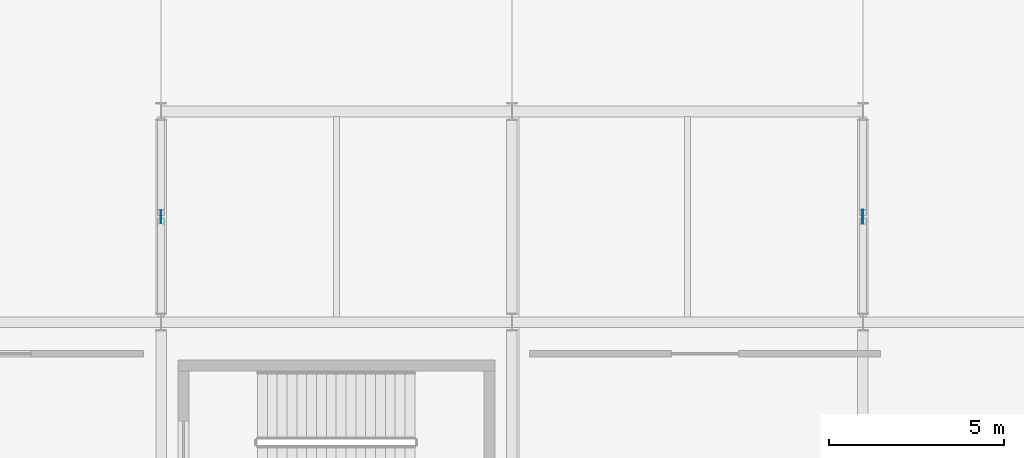
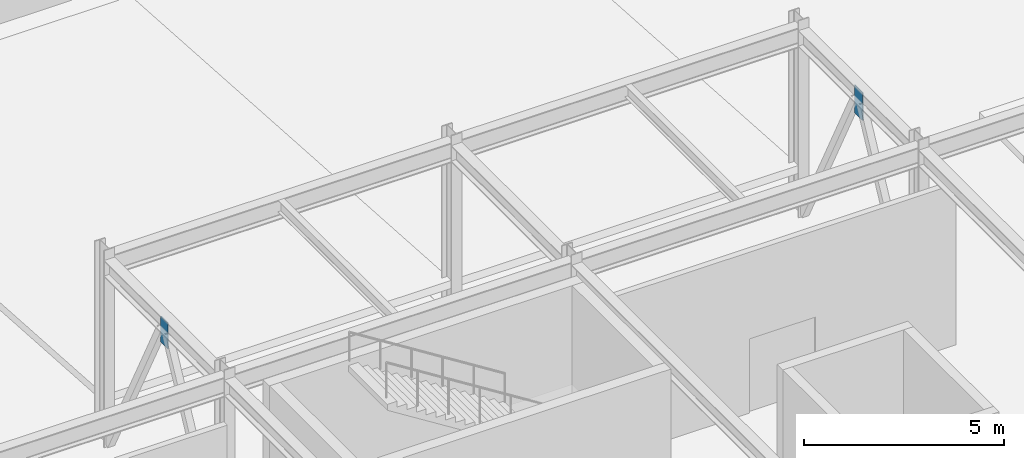
# One storey, part 117 of 146: 2 plates.
"""IFC4 building model written with IfcOpenShell, lengths in metres."""

from ifc_helpers import new_model, si_unit, direction, frame, origin, origin_2d, place, context, subcontext, project, spatial, rectangle, extrude, material, type_object, element, save


model = new_model("IFC4")

# Units and contexts
model_context = context("Model", 3, precision=1e-05, world=origin(), true_north=direction((0.0, 1.0)))
body_context = subcontext(model_context, "Body", "Model", "MODEL_VIEW")
ifc_project = project(units=[si_unit("LENGTHUNIT", "METRE"), si_unit("AREAUNIT", "SQUARE_METRE"), si_unit("VOLUMEUNIT", "CUBIC_METRE"), si_unit("PLANEANGLEUNIT", "RADIAN"), si_unit("MASSUNIT", "GRAM", prefix="KILO")], contexts=[model_context])

# Site, building, storey
site_placement = place(None, origin())
site = spatial("IfcSite", under=ifc_project, at=site_placement, CompositionType="ELEMENT")
building_placement = place(site_placement, origin())
building = spatial("IfcBuilding", under=site, at=building_placement, Name="Kaldris Quays Convention Centre", CompositionType="ELEMENT")
storey_placement = place(building_placement, origin())
storey = spatial("IfcBuildingStorey", under=building, at=storey_placement, Name="L00", CompositionType="ELEMENT", Elevation=0.0)

# Plates
ifc_material = material(Name="Steel S355J2", Category="steel")
plate_type_1 = type_object("IfcPlateType", Name="GUSSET PLATE GP21", PredefinedType="USERDEFINED", material=ifc_material)
plate_1_placement = place(storey_placement, frame((174.0, 71.0, 4.73291015625), z_axis=(0.0, 0.0, 1.0), x_axis=(1.0, 0.0, 0.0)))
element("IfcPlate", 1, at=plate_1_placement, inside=storey, type_object=plate_type_1, Name="CBF Apex Gusset Plate GP21 5", ObjectType="GUSSET PLATE", PredefinedType="USERDEFINED", context=body_context, shape_type="SweptSolid", body=[
    extrude(rectangle(XDim=0.02587890625, YDim=0.360107421875, at=origin_2d()), origin(), (0.0, 0.0, 1.0), 0.7900390625),
])
plate_type_2 = type_object("IfcPlateType", Name="GUSSET PLATE GP22", PredefinedType="USERDEFINED", material=ifc_material)
plate_2_placement = place(storey_placement, frame((194.0, 71.0, 4.700439453125), z_axis=(0.0, 0.0, 1.0), x_axis=(1.0, 0.0, 0.0)))
element("IfcPlate", 2, at=plate_2_placement, inside=storey, type_object=plate_type_2, Name="CBF Apex Gusset Plate GP22 6", ObjectType="GUSSET PLATE", PredefinedType="USERDEFINED", context=body_context, shape_type="SweptSolid", body=[
    extrude(rectangle(XDim=0.028076171875, YDim=0.405029296875, at=origin_2d()), origin(), (0.0, 0.0, 1.0), 0.85498046875),
])

save(model, "model.ifc")
